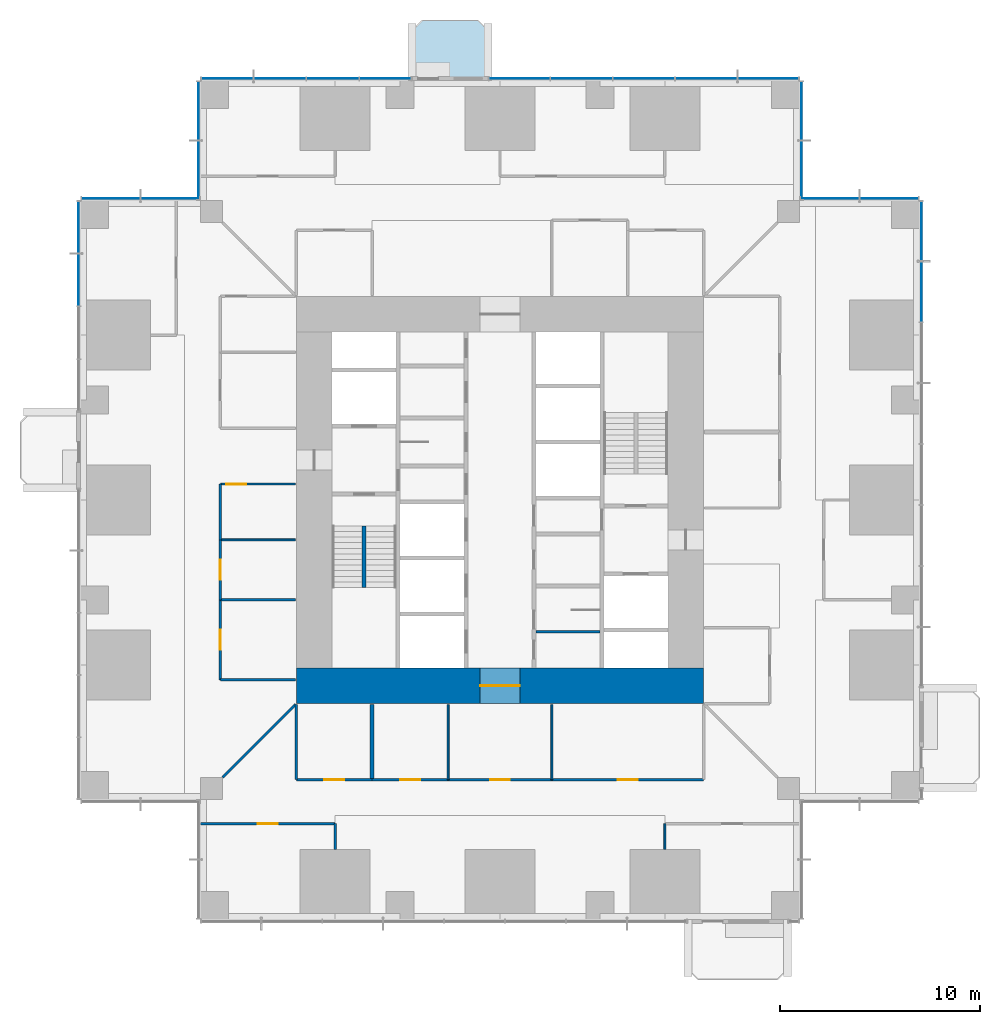
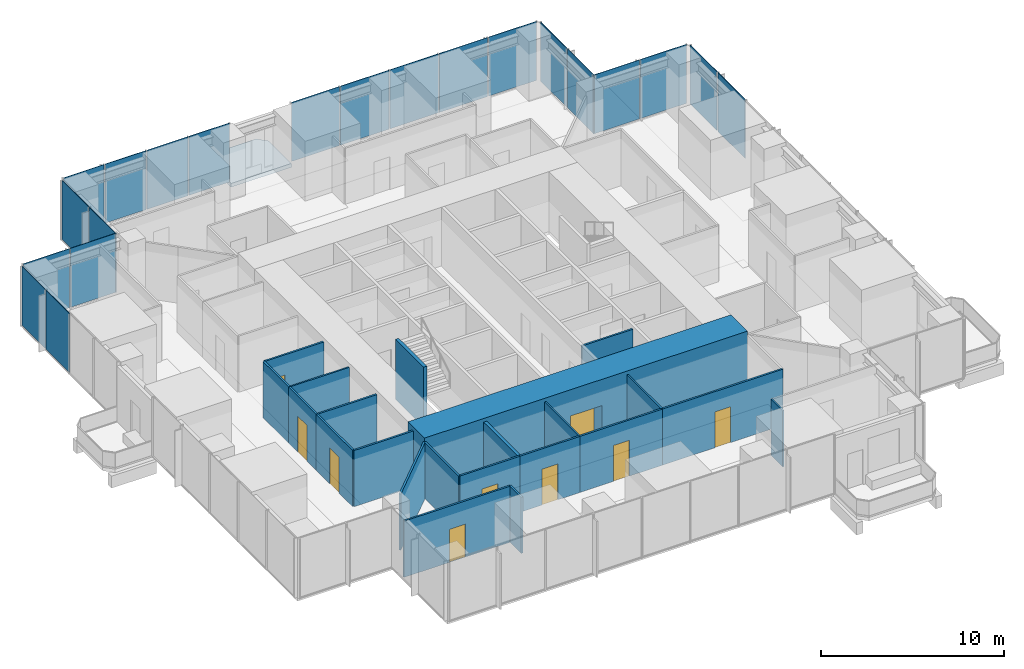
# One storey, part 9 of 15: 22 walls, 21 plates, 9 doors, 1 slab, 9 openings, 8 elements without a shape of their own.
"""IFC4 building model written with IfcOpenShell, lengths in metres."""

from ifc_helpers import new_model, si_unit, direction, frame, frame_2d, origin, origin_2d, place, context, subcontext, project, spatial, polyline, rectangle, outline, extrude, material, layer, layer_set, type_object, element, fill, aggregate, save


model = new_model("IFC4")

# Units and contexts
model_context = context("Model", 3, precision=1e-05, world=origin(), true_north=direction((0.0, 1.0)))
body_context = subcontext(model_context, "Body", "Model", "MODEL_VIEW")
ifc_project = project(units=[si_unit("LENGTHUNIT", "METRE"), si_unit("AREAUNIT", "SQUARE_METRE"), si_unit("VOLUMEUNIT", "CUBIC_METRE"), si_unit("PLANEANGLEUNIT", "RADIAN"), si_unit("MASSUNIT", "GRAM", prefix="KILO")], contexts=[model_context])

# Site, building, storey
site_placement = place(None, origin())
site = spatial("IfcSite", under=ifc_project, at=site_placement, CompositionType="ELEMENT")
building_placement = place(site_placement, origin())
building = spatial("IfcBuilding", under=site, at=building_placement, Name="Svetlomir Tower", CompositionType="ELEMENT")
storey_placement = place(building_placement, frame((0.0, 0.0, 74.5)))
storey = spatial("IfcBuildingStorey", under=building, at=storey_placement, Name="L17", CompositionType="ELEMENT", Elevation=74.5)

# Slab
ifc_material_1 = material(Name="Concrete C60/75", Category="concrete")
ifc_layer_1 = layer(ifc_material_1, 0.25)
ifc_layer_set_1 = layer_set([ifc_layer_1], Name="Concrete C60/75")
slab_type = type_object("IfcSlabType", Name="BALCONY SLAB 250", PredefinedType="FLOOR", material=ifc_layer_set_1)
slab_placement = place(storey_placement, frame((0.0, 0.0, -0.25)))
element("IfcSlab", 1, at=slab_placement, inside=storey, type_object=slab_type, Name="L17 N planted balcony", PredefinedType="FLOOR", context=body_context, shape_type="SweptSolid", body=[
    extrude(outline(polyline([(16.60009765625, 42.0), (20.39990234375, 42.0), (20.39990234375, 44.5), (19.89990234375, 45.0), (17.10009765625, 45.0), (16.60009765625, 44.5), (16.60009765625, 42.0)])), origin(), (0.0, 0.0, 1.0), 0.25),
])

# Curtain wall, plates
ifc_material_2 = material(Name="Bronze anodised aluminium curtain wall", Category="aluminium")
curtain_wall_type = type_object("IfcCurtainWallType", Name="CURTAIN WALL CW1 TOWER OFFICE", PredefinedType="NOTDEFINED", material=ifc_material_2)
curtain_wall_1_placement = place(storey_placement, origin())
curtain_wall_1 = element("IfcCurtainWall", 2, at=curtain_wall_1_placement, inside=storey, type_object=curtain_wall_type, Name="Curtain wall CW1 L17", PredefinedType="NOTDEFINED")
ifc_material_3 = material(Name="Tinted double glazed unit", Category="glass")
ifc_layer_2 = layer(ifc_material_3, 0.031982421875)
ifc_layer_set_2 = layer_set([ifc_layer_2], Name="Tinted double glazed unit")
plate_type = type_object("IfcPlateType", Name="CW1 GLAZED PANEL 32", PredefinedType="CURTAIN_PANEL", material=ifc_layer_set_2)
plate_1_placement = place(storey_placement, frame((42.10009765625, 31.425048828125, 0.06494140625), z_axis=(0.0, 0.0, 1.0), x_axis=(0.0, 1.0, 0.0)))
plate_1 = element("IfcPlate", 3, at=plate_1_placement, type_object=plate_type, Name="CW1 panel 7.1", PredefinedType="CURTAIN_PANEL", context=body_context, shape_type="SweptSolid", body=[
    extrude(rectangle(XDim=2.985107421875, YDim=0.031982421875, at=origin_2d()), origin(), (0.0, 0.0, 1.0), 3.93505859375),
])
plate_2_placement = place(storey_placement, frame((42.10009765625, 34.458740234375, 0.06494140625), z_axis=(0.0, 0.0, 1.0), x_axis=(0.0, 1.0, 0.0)))
plate_2 = element("IfcPlate", 4, at=plate_2_placement, type_object=plate_type, Name="CW1 panel 8.1", PredefinedType="CURTAIN_PANEL", context=body_context, shape_type="SweptSolid", body=[
    extrude(rectangle(XDim=2.952392578125, YDim=0.031982421875, at=origin_2d()), origin(), (0.0, 0.0, 1.0), 3.93505859375),
])
aggregate(curtain_wall_1, [plate_1, plate_2])

curtain_wall_2_placement = place(storey_placement, origin())
curtain_wall_2 = element("IfcCurtainWall", 5, at=curtain_wall_2_placement, inside=storey, type_object=curtain_wall_type, Name="Curtain wall CW1 L17", PredefinedType="NOTDEFINED")
plate_3_placement = place(storey_placement, frame((40.483642578125, 36.10009765625, 0.06494140625), z_axis=(0.0, 0.0, 1.0), x_axis=(-1.0, 0.0, 0.0)))
plate_3 = element("IfcPlate", 6, at=plate_3_placement, type_object=plate_type, Name="CW1 panel 1.1", PredefinedType="CURTAIN_PANEL", context=body_context, shape_type="SweptSolid", body=[
    extrude(rectangle(XDim=2.902587890625, YDim=0.031982421875, at=origin_2d()), origin(), (0.0, 0.0, 1.0), 3.93505859375),
])
plate_4_placement = place(storey_placement, frame((37.516357421875, 36.10009765625, 0.06494140625), z_axis=(0.0, 0.0, 1.0), x_axis=(-1.0, 0.0, 0.0)))
plate_4 = element("IfcPlate", 7, at=plate_4_placement, type_object=plate_type, Name="CW1 panel 2.1", PredefinedType="CURTAIN_PANEL", context=body_context, shape_type="SweptSolid", body=[
    extrude(rectangle(XDim=2.902587890625, YDim=0.031982421875, at=origin_2d()), origin(), (0.0, 0.0, 1.0), 3.93505859375),
])
aggregate(curtain_wall_2, [plate_3, plate_4])

curtain_wall_3_placement = place(storey_placement, origin())
curtain_wall_3 = element("IfcCurtainWall", 8, at=curtain_wall_3_placement, inside=storey, type_object=curtain_wall_type, Name="Curtain wall CW1 L17", PredefinedType="NOTDEFINED")
plate_5_placement = place(storey_placement, frame((36.10009765625, 37.516357421875, 0.06494140625), z_axis=(0.0, 0.0, 1.0), x_axis=(0.0, 1.0, 0.0)))
plate_5 = element("IfcPlate", 9, at=plate_5_placement, type_object=plate_type, Name="CW1 panel 1.1", PredefinedType="CURTAIN_PANEL", context=body_context, shape_type="SweptSolid", body=[
    extrude(rectangle(XDim=2.902587890625, YDim=0.031982421875, at=origin_2d()), origin(), (0.0, 0.0, 1.0), 3.93505859375),
])
plate_6_placement = place(storey_placement, frame((36.10009765625, 40.483642578125, 0.06494140625), z_axis=(0.0, 0.0, 1.0), x_axis=(0.0, 1.0, 0.0)))
plate_6 = element("IfcPlate", 10, at=plate_6_placement, type_object=plate_type, Name="CW1 panel 2.1", PredefinedType="CURTAIN_PANEL", context=body_context, shape_type="SweptSolid", body=[
    extrude(rectangle(XDim=2.902587890625, YDim=0.031982421875, at=origin_2d()), origin(), (0.0, 0.0, 1.0), 3.93505859375),
])
aggregate(curtain_wall_3, [plate_5, plate_6])

curtain_wall_4_placement = place(storey_placement, origin())
curtain_wall_4 = element("IfcCurtainWall", 11, at=curtain_wall_4_placement, inside=storey, type_object=curtain_wall_type, Name="Curtain wall CW1 L17", PredefinedType="NOTDEFINED")
plate_7_placement = place(storey_placement, frame((34.423828125, 42.10009765625, 0.06494140625), z_axis=(0.0, 0.0, 1.0), x_axis=(-1.0, 0.0, 0.0)))
plate_7 = element("IfcPlate", 12, at=plate_7_placement, type_object=plate_type, Name="CW1 panel 1.1", PredefinedType="CURTAIN_PANEL", context=body_context, shape_type="SweptSolid", body=[
    extrude(rectangle(XDim=3.0224609375, YDim=0.031982421875, at=origin_2d()), origin(), (0.0, 0.0, 1.0), 3.93505859375),
])
plate_8_placement = place(storey_placement, frame((31.320068359375, 42.10009765625, 0.06494140625), z_axis=(0.0, 0.0, 1.0), x_axis=(-1.0, 0.0, 0.0)))
plate_8 = element("IfcPlate", 13, at=plate_8_placement, type_object=plate_type, Name="CW1 panel 2.1", PredefinedType="CURTAIN_PANEL", context=body_context, shape_type="SweptSolid", body=[
    extrude(rectangle(XDim=3.054931640625, YDim=0.031982421875, at=origin_2d()), origin(), (0.0, 0.0, 1.0), 3.93505859375),
])
plate_9_placement = place(storey_placement, frame((28.199951171875, 42.10009765625, 0.06494140625), z_axis=(0.0, 0.0, 1.0), x_axis=(-1.0, 0.0, 0.0)))
plate_9 = element("IfcPlate", 14, at=plate_9_placement, type_object=plate_type, Name="CW1 panel 3.1", PredefinedType="CURTAIN_PANEL", context=body_context, shape_type="SweptSolid", body=[
    extrude(rectangle(XDim=3.054931640625, YDim=0.031982421875, at=origin_2d()), origin(), (0.0, 0.0, 1.0), 3.93505859375),
])
plate_10_placement = place(storey_placement, frame((25.080078125, 42.10009765625, 0.06494140625), z_axis=(0.0, 0.0, 1.0), x_axis=(-1.0, 0.0, 0.0)))
plate_10 = element("IfcPlate", 15, at=plate_10_placement, type_object=plate_type, Name="CW1 panel 4.1", PredefinedType="CURTAIN_PANEL", context=body_context, shape_type="SweptSolid", body=[
    extrude(rectangle(XDim=3.054931640625, YDim=0.031982421875, at=origin_2d()), origin(), (0.0, 0.0, 1.0), 3.93505859375),
])
plate_11_placement = place(storey_placement, frame((21.976318359375, 42.10009765625, 0.06494140625), z_axis=(0.0, 0.0, 1.0), x_axis=(-1.0, 0.0, 0.0)))
plate_11 = element("IfcPlate", 16, at=plate_11_placement, type_object=plate_type, Name="CW1 panel 5.1", PredefinedType="CURTAIN_PANEL", context=body_context, shape_type="SweptSolid", body=[
    extrude(rectangle(XDim=3.0224609375, YDim=0.031982421875, at=origin_2d()), origin(), (0.0, 0.0, 1.0), 3.93505859375),
])
aggregate(curtain_wall_4, [plate_7, plate_8, plate_9, plate_10, plate_11])

curtain_wall_5_placement = place(storey_placement, origin())
curtain_wall_5 = element("IfcCurtainWall", 17, at=curtain_wall_5_placement, inside=storey, type_object=curtain_wall_type, Name="Curtain wall CW1 L17", PredefinedType="NOTDEFINED")
plate_12_placement = place(storey_placement, frame((15.2587890625, 42.10009765625, 0.06494140625), z_axis=(0.0, 0.0, 1.0), x_axis=(-1.0, 0.0, 0.0)))
plate_12 = element("IfcPlate", 18, at=plate_12_placement, type_object=plate_type, Name="CW1 panel 1.1", PredefinedType="CURTAIN_PANEL", context=body_context, shape_type="SweptSolid", body=[
    extrude(rectangle(XDim=2.552490234375, YDim=0.031982421875, at=origin_2d()), origin(), (0.0, 0.0, 1.0), 3.93505859375),
])
plate_13_placement = place(storey_placement, frame((12.625, 42.10009765625, 0.06494140625), z_axis=(0.0, 0.0, 1.0), x_axis=(-1.0, 0.0, 0.0)))
plate_13 = element("IfcPlate", 19, at=plate_13_placement, type_object=plate_type, Name="CW1 panel 2.1", PredefinedType="CURTAIN_PANEL", context=body_context, shape_type="SweptSolid", body=[
    extrude(rectangle(XDim=2.5849609375, YDim=0.031982421875, at=origin_2d()), origin(), (0.0, 0.0, 1.0), 3.93505859375),
])
plate_14_placement = place(storey_placement, frame((9.97509765625, 42.10009765625, 0.06494140625), z_axis=(0.0, 0.0, 1.0), x_axis=(-1.0, 0.0, 0.0)))
plate_14 = element("IfcPlate", 20, at=plate_14_placement, type_object=plate_type, Name="CW1 panel 3.1", PredefinedType="CURTAIN_PANEL", context=body_context, shape_type="SweptSolid", body=[
    extrude(rectangle(XDim=2.5849609375, YDim=0.031982421875, at=origin_2d()), origin(), (0.0, 0.0, 1.0), 3.93505859375),
])
plate_15_placement = place(storey_placement, frame((7.34130859375, 42.10009765625, 0.06494140625), z_axis=(0.0, 0.0, 1.0), x_axis=(-1.0, 0.0, 0.0)))
plate_15 = element("IfcPlate", 21, at=plate_15_placement, type_object=plate_type, Name="CW1 panel 4.1", PredefinedType="CURTAIN_PANEL", context=body_context, shape_type="SweptSolid", body=[
    extrude(rectangle(XDim=2.552490234375, YDim=0.031982421875, at=origin_2d()), origin(), (0.0, 0.0, 1.0), 3.93505859375),
])
aggregate(curtain_wall_5, [plate_12, plate_13, plate_14, plate_15])

curtain_wall_6_placement = place(storey_placement, origin())
curtain_wall_6 = element("IfcCurtainWall", 22, at=curtain_wall_6_placement, inside=storey, type_object=curtain_wall_type, Name="Curtain wall CW1 L17", PredefinedType="NOTDEFINED")
plate_16_placement = place(storey_placement, frame((5.89990234375, 40.483642578125, 0.06494140625), z_axis=(0.0, 0.0, 1.0), x_axis=(0.0, -1.0, 0.0)))
plate_16 = element("IfcPlate", 23, at=plate_16_placement, type_object=plate_type, Name="CW1 panel 1.1", PredefinedType="CURTAIN_PANEL", context=body_context, shape_type="SweptSolid", body=[
    extrude(rectangle(XDim=2.902587890625, YDim=0.031982421875, at=origin_2d()), origin(), (0.0, 0.0, 1.0), 3.93505859375),
])
plate_17_placement = place(storey_placement, frame((5.89990234375, 37.516357421875, 0.06494140625), z_axis=(0.0, 0.0, 1.0), x_axis=(0.0, -1.0, 0.0)))
plate_17 = element("IfcPlate", 24, at=plate_17_placement, type_object=plate_type, Name="CW1 panel 2.1", PredefinedType="CURTAIN_PANEL", context=body_context, shape_type="SweptSolid", body=[
    extrude(rectangle(XDim=2.902587890625, YDim=0.031982421875, at=origin_2d()), origin(), (0.0, 0.0, 1.0), 3.93505859375),
])
aggregate(curtain_wall_6, [plate_16, plate_17])

curtain_wall_7_placement = place(storey_placement, origin())
curtain_wall_7 = element("IfcCurtainWall", 25, at=curtain_wall_7_placement, inside=storey, type_object=curtain_wall_type, Name="Curtain wall CW1 L17", PredefinedType="NOTDEFINED")
plate_18_placement = place(storey_placement, frame((4.483642578125, 36.10009765625, 0.06494140625), z_axis=(0.0, 0.0, 1.0), x_axis=(-1.0, 0.0, 0.0)))
plate_18 = element("IfcPlate", 26, at=plate_18_placement, type_object=plate_type, Name="CW1 panel 1.1", PredefinedType="CURTAIN_PANEL", context=body_context, shape_type="SweptSolid", body=[
    extrude(rectangle(XDim=2.902587890625, YDim=0.031982421875, at=origin_2d()), origin(), (0.0, 0.0, 1.0), 3.93505859375),
])
plate_19_placement = place(storey_placement, frame((1.516357421875, 36.10009765625, 0.06494140625), z_axis=(0.0, 0.0, 1.0), x_axis=(-1.0, 0.0, 0.0)))
plate_19 = element("IfcPlate", 27, at=plate_19_placement, type_object=plate_type, Name="CW1 panel 2.1", PredefinedType="CURTAIN_PANEL", context=body_context, shape_type="SweptSolid", body=[
    extrude(rectangle(XDim=2.902587890625, YDim=0.031982421875, at=origin_2d()), origin(), (0.0, 0.0, 1.0), 3.93505859375),
])
aggregate(curtain_wall_7, [plate_18, plate_19])

curtain_wall_8_placement = place(storey_placement, origin())
curtain_wall_8 = element("IfcCurtainWall", 28, at=curtain_wall_8_placement, inside=storey, type_object=curtain_wall_type, Name="Curtain wall CW1 L17", PredefinedType="NOTDEFINED")
plate_20_placement = place(storey_placement, frame((-0.10009765625, 34.65869140625, 0.06494140625), z_axis=(0.0, 0.0, 1.0), x_axis=(0.0, -1.0, 0.0)))
plate_20 = element("IfcPlate", 29, at=plate_20_placement, type_object=plate_type, Name="CW1 panel 1.1", PredefinedType="CURTAIN_PANEL", context=body_context, shape_type="SweptSolid", body=[
    extrude(rectangle(XDim=2.552490234375, YDim=0.031982421875, at=origin_2d()), origin(), (0.0, 0.0, 1.0), 3.93505859375),
])
plate_21_placement = place(storey_placement, frame((-0.10009765625, 32.02490234375, 0.06494140625), z_axis=(0.0, 0.0, 1.0), x_axis=(0.0, -1.0, 0.0)))
plate_21 = element("IfcPlate", 30, at=plate_21_placement, type_object=plate_type, Name="CW1 panel 2.1", PredefinedType="CURTAIN_PANEL", context=body_context, shape_type="SweptSolid", body=[
    extrude(rectangle(XDim=2.5849609375, YDim=0.031982421875, at=origin_2d()), origin(), (0.0, 0.0, 1.0), 3.93505859375),
])
aggregate(curtain_wall_8, [plate_20, plate_21])

# Wall
ifc_material_4 = material(Name="Gypsum board on twin steel studs", Category="steel")
ifc_layer_3 = layer(ifc_material_4, 0.199951171875)
ifc_layer_set_3 = layer_set([ifc_layer_3], Name="Gypsum board on twin steel studs")
wall_type_1 = type_object("IfcWallType", Name="ACOUSTIC PARTITION 200", PredefinedType="PARTITIONING", material=ifc_layer_set_3)
wall_1_placement = place(storey_placement, frame((14.60009765625, 7.0, 0.0), z_axis=(0.0, 0.0, 1.0), x_axis=(0.0, 1.0, 0.0)))
element("IfcWall", 31, at=wall_1_placement, inside=storey, type_object=wall_type_1, Name="Acoustic partition L17", PredefinedType="PARTITIONING", context=body_context, shape_type="SweptSolid", body=[
    extrude(rectangle(XDim=3.75, YDim=0.199951171875, at=frame_2d((1.875, 0.0))), origin(), (0.0, 0.0, 1.0), 3.75),
])

# Wall, opening, door
ifc_material_5 = material(Name="Concrete C60/75", Category="concrete")
ifc_layer_4 = layer(ifc_material_5, 1.800048828125)
ifc_layer_set_4 = layer_set([ifc_layer_4], Name="Concrete C60/75")
wall_type_2 = type_object("IfcWallType", Name="CORE WALL 1800", PredefinedType="SHEAR", material=ifc_layer_set_4)
wall_2_placement = place(storey_placement, frame((10.800048828125, 11.699951171875, -0.050048828125), z_axis=(0.0, 0.0, 1.0), x_axis=(1.0, 0.0, 0.0)))
wall_2 = element("IfcWall", 32, at=wall_2_placement, inside=storey, type_object=wall_type_2, Name="Core wall south L17", PredefinedType="SHEAR", context=body_context, shape_type="SweptSolid", body=[
    extrude(rectangle(XDim=20.39990234375, YDim=1.800048828125, at=frame_2d((10.199951171875, 0.0))), origin(), (0.0, 0.0, 1.0), 4.0),
])
opening_1_placement = place(wall_2_placement, frame((9.199951171875, 0.0, 0.050048828125)))
opening_1 = element("IfcOpeningElement", 33, at=opening_1_placement, cuts=wall_2, Name="Opening DL", PredefinedType="OPENING", context=body_context, shape_type="SweptSolid", body=[
    extrude(rectangle(XDim=2.0, YDim=2.199951171875, at=frame_2d((1.0, 1.10009765625))), frame((0.0, 0.91015625, 0.0), z_axis=(0.0, -1.0, 0.0), x_axis=(1.0, 0.0, 0.0)), (0.0, 0.0, 1.0), 1.820068359375),
])
ifc_material_6 = material(Name="Steel fire door", Category="steel")
door_type_1 = type_object("IfcDoorType", Name="DOOR DL 2000x2200", OperationType="DOUBLE_DOOR_SINGLE_SWING", PredefinedType="DOOR", material=ifc_material_6)
door_1_placement = place(opening_1_placement, origin())
door_1 = element("IfcDoor", 34, at=door_1_placement, inside=storey, type_object=door_type_1, Name="Lift lobby south door L17", OperationType="DOUBLE_DOOR_SINGLE_SWING", OverallHeight=2.199951171875, OverallWidth=2.0, PredefinedType="DOOR", context=body_context, shape_type="SweptSolid", body=[
    extrude(rectangle(XDim=2.0, YDim=2.199951171875, at=frame_2d((1.0, 1.10009765625))), frame((0.0, 0.02490234375, 0.0), z_axis=(0.0, -1.0, 0.0), x_axis=(1.0, 0.0, 0.0)), (0.0, 0.0, 1.0), 0.050048828125),
])
fill(opening_1, door_1)

# Walls
ifc_material_7 = material(Name="Framed laminated glass partition", Category="glass")
ifc_layer_5 = layer(ifc_material_7, 0.10009765625)
ifc_layer_set_5 = layer_set([ifc_layer_5], Name="Framed laminated glass partition")
wall_type_3 = type_object("IfcWallType", Name="GLAZED PARTITION 100", PredefinedType="PARTITIONING", material=ifc_layer_set_5)
for number, where, z_axis, x_axis, name in (
    (35, (7.0, 19.0, 0.0), (0.0, 0.0, 1.0), (1.0, 0.0, 0.0), "Glazed partition L17"),
    (36, (18.39990234375, 7.0, 0.0), (0.0, 0.0, 1.0), (0.0, 1.0, 0.0), "Glazed partition L17"),
    (37, (23.60009765625, 7.0, 0.0), (0.0, 0.0, 1.0), (0.0, 1.0, 0.0), "Glazed partition L17"),
):
    element("IfcWall", number, at=place(storey_placement, frame(where, z_axis=z_axis, x_axis=x_axis)), inside=storey, type_object=wall_type_3, Name=name, PredefinedType="PARTITIONING", context=body_context, shape_type="SweptSolid", body=[
        extrude(rectangle(XDim=3.75, YDim=0.10009765625, at=frame_2d((1.875, 0.0))), origin(), (0.0, 0.0, 1.0), 3.75),
    ])
wall_3_placement = place(storey_placement, frame((29.25, 3.510009765625, 0.0), z_axis=(0.0, 0.0, 1.0), x_axis=(0.0, 1.0, 0.0)))
element("IfcWall", 38, at=wall_3_placement, inside=storey, type_object=wall_type_3, Name="Glazed partition L17", PredefinedType="PARTITIONING", context=body_context, shape_type="SweptSolid", body=[
    extrude(rectangle(XDim=1.2900390625, YDim=0.10009765625, at=frame_2d((0.64501953125, 0.0))), origin(), (0.0, 0.0, 1.0), 3.75),
])
ifc_material_8 = material(Name="Gypsum board on steel studs", Category="steel")
ifc_layer_6 = layer(ifc_material_8, 0.1201171875)
ifc_layer_set_6 = layer_set([ifc_layer_6], Name="Gypsum board on steel studs")
wall_type_4 = type_object("IfcWallType", Name="PARTITION 120", PredefinedType="PARTITIONING", material=ifc_layer_set_6)
wall_4_placement = place(storey_placement, frame((22.800048828125, 14.39990234375, 0.0), z_axis=(0.0, 0.0, 1.0), x_axis=(1.0, 0.0, 0.0)))
element("IfcWall", 39, at=wall_4_placement, inside=storey, type_object=wall_type_4, Name="Floor store partition L17", PredefinedType="PARTITIONING", context=body_context, shape_type="SweptSolid", body=[
    extrude(rectangle(XDim=3.199951171875, YDim=0.1201171875, at=frame_2d((1.60009765625, 0.0))), origin(), (0.0, 0.0, 1.0), 3.75),
])

# Wall, opening, door
wall_5_placement = place(storey_placement, frame((6.0, 4.800048828125, 0.0), z_axis=(0.0, 0.0, 1.0), x_axis=(1.0, 0.0, 0.0)))
wall_5 = element("IfcWall", 40, at=wall_5_placement, inside=storey, type_object=wall_type_4, Name="Partition L17", PredefinedType="PARTITIONING", context=body_context, shape_type="SweptSolid", body=[
    extrude(rectangle(XDim=6.75, YDim=0.1201171875, at=frame_2d((3.375, 0.0))), origin(), (0.0, 0.0, 1.0), 3.75),
])
opening_2_placement = place(wall_5_placement, frame((2.875, 0.0, 0.0)))
opening_2 = element("IfcOpeningElement", 41, at=opening_2_placement, cuts=wall_5, Name="Opening DR", PredefinedType="OPENING", context=body_context, shape_type="SweptSolid", body=[
    extrude(rectangle(XDim=1.0, YDim=2.199951171875, at=frame_2d((0.5, 1.10009765625))), frame((0.0, 0.070068359375, 0.0), z_axis=(0.0, -1.0, 0.0), x_axis=(1.0, 0.0, 0.0)), (0.0, 0.0, 1.0), 0.14013671875),
])
ifc_material_9 = material(Name="Timber door, glazed side light", Category="wood")
door_type_2 = type_object("IfcDoorType", Name="DOOR DR 1000x2200", OperationType="SINGLE_SWING_LEFT", PredefinedType="DOOR", material=ifc_material_9)
door_2_placement = place(opening_2_placement, origin())
door_2 = element("IfcDoor", 42, at=door_2_placement, inside=storey, type_object=door_type_2, Name="Head of procurement office door L17", OperationType="SINGLE_SWING_RIGHT", OverallHeight=2.199951171875, OverallWidth=1.0, PredefinedType="DOOR", context=body_context, shape_type="SweptSolid", body=[
    extrude(rectangle(XDim=1.0, YDim=2.199951171875, at=frame_2d((0.5, 1.10009765625))), frame((0.0, 0.02490234375, 0.0), z_axis=(0.0, -1.0, 0.0), x_axis=(1.0, 0.0, 0.0)), (0.0, 0.0, 1.0), 0.050048828125),
])
fill(opening_2, door_2)

wall_6_placement = place(storey_placement, frame((7.0, 12.0, 0.0), z_axis=(0.0, 0.0, 1.0), x_axis=(0.0, 1.0, 0.0)))
wall_6 = element("IfcWall", 43, at=wall_6_placement, inside=storey, type_object=wall_type_4, Name="Partition L17", PredefinedType="PARTITIONING", context=body_context, shape_type="SweptSolid", body=[
    extrude(rectangle(XDim=4.0, YDim=0.1201171875, at=frame_2d((2.0, 0.0))), origin(), (0.0, 0.0, 1.0), 3.75),
])
opening_3_placement = place(wall_6_placement, frame((1.5, 0.0, 0.0)))
opening_3 = element("IfcOpeningElement", 44, at=opening_3_placement, cuts=wall_6, Name="Opening DG", PredefinedType="OPENING", context=body_context, shape_type="SweptSolid", body=[
    extrude(rectangle(XDim=1.0, YDim=2.39990234375, at=frame_2d((0.5, 1.199951171875))), frame((0.0, 0.070068359375, 0.0), z_axis=(0.0, -1.0, 0.0), x_axis=(1.0, 0.0, 0.0)), (0.0, 0.0, 1.0), 0.14013671875),
])
ifc_material_10 = material(Name="Framed laminated glass door", Category="glass")
door_type_3 = type_object("IfcDoorType", Name="GLAZED DOOR DG 1000x2400", OperationType="SINGLE_SWING_LEFT", PredefinedType="DOOR", material=ifc_material_10)
door_3_placement = place(opening_3_placement, origin())
door_3 = element("IfcDoor", 45, at=door_3_placement, inside=storey, type_object=door_type_3, Name="Meeting room, 4 seats 2 door L17", OperationType="SINGLE_SWING_LEFT", OverallHeight=2.39990234375, OverallWidth=1.0, PredefinedType="DOOR", context=body_context, shape_type="SweptSolid", body=[
    extrude(rectangle(XDim=1.0, YDim=2.39990234375, at=frame_2d((0.5, 1.199951171875))), frame((0.0, 0.02490234375, 0.0), z_axis=(0.0, -1.0, 0.0), x_axis=(1.0, 0.0, 0.0)), (0.0, 0.0, 1.0), 0.050048828125),
])
fill(opening_3, door_3)

# Wall
wall_7_placement = place(storey_placement, frame((7.0, 12.0, 0.0), z_axis=(0.0, 0.0, 1.0), x_axis=(1.0, 0.0, 0.0)))
element("IfcWall", 46, at=wall_7_placement, inside=storey, type_object=wall_type_4, Name="Partition L17", PredefinedType="PARTITIONING", context=body_context, shape_type="SweptSolid", body=[
    extrude(rectangle(XDim=3.75, YDim=0.1201171875, at=frame_2d((1.875, 0.0))), origin(), (0.0, 0.0, 1.0), 3.75),
])

# Wall, opening, door
wall_8_placement = place(storey_placement, frame((7.0, 16.0, 0.0), z_axis=(0.0, 0.0, 1.0), x_axis=(0.0, 1.0, 0.0)))
wall_8 = element("IfcWall", 47, at=wall_8_placement, inside=storey, type_object=wall_type_4, Name="Partition L17", PredefinedType="PARTITIONING", context=body_context, shape_type="SweptSolid", body=[
    extrude(rectangle(XDim=3.0, YDim=0.1201171875, at=frame_2d((1.5, 0.0))), origin(), (0.0, 0.0, 1.0), 3.75),
])
opening_4_placement = place(wall_8_placement, frame((1.0, 0.0, 0.0)))
opening_4 = element("IfcOpeningElement", 48, at=opening_4_placement, cuts=wall_8, Name="Opening DG", PredefinedType="OPENING", context=body_context, shape_type="SweptSolid", body=[
    extrude(rectangle(XDim=1.0, YDim=2.39990234375, at=frame_2d((0.5, 1.199951171875))), frame((0.0, 0.070068359375, 0.0), z_axis=(0.0, -1.0, 0.0), x_axis=(1.0, 0.0, 0.0)), (0.0, 0.0, 1.0), 0.14013671875),
])
door_4_placement = place(opening_4_placement, origin())
door_4 = element("IfcDoor", 49, at=door_4_placement, inside=storey, type_object=door_type_3, Name="Focus room 1 door L17", OperationType="SINGLE_SWING_RIGHT", OverallHeight=2.39990234375, OverallWidth=1.0, PredefinedType="DOOR", context=body_context, shape_type="SweptSolid", body=[
    extrude(rectangle(XDim=1.0, YDim=2.39990234375, at=frame_2d((0.5, 1.199951171875))), frame((0.0, 0.02490234375, 0.0), z_axis=(0.0, -1.0, 0.0), x_axis=(1.0, 0.0, 0.0)), (0.0, 0.0, 1.0), 0.050048828125),
])
fill(opening_4, door_4)

# Walls
wall_9_placement = place(storey_placement, frame((7.0, 16.0, 0.0), z_axis=(0.0, 0.0, 1.0), x_axis=(1.0, 0.0, 0.0)))
element("IfcWall", 50, at=wall_9_placement, inside=storey, type_object=wall_type_4, Name="Partition L17", PredefinedType="PARTITIONING", context=body_context, shape_type="SweptSolid", body=[
    extrude(rectangle(XDim=3.75, YDim=0.1201171875, at=frame_2d((1.875, 0.0))), origin(), (0.0, 0.0, 1.0), 3.75),
])
wall_10_placement = place(storey_placement, frame((7.0, 19.0, 0.0), z_axis=(0.0, 0.0, 1.0), x_axis=(0.0, 1.0, 0.0)))
element("IfcWall", 51, at=wall_10_placement, inside=storey, type_object=wall_type_4, Name="Partition L17", PredefinedType="PARTITIONING", context=body_context, shape_type="SweptSolid", body=[
    extrude(rectangle(XDim=2.800048828125, YDim=0.1201171875, at=frame_2d((1.39990234375, 0.0))), origin(), (0.0, 0.0, 1.0), 3.75),
])

# Wall, opening, door
wall_11_placement = place(storey_placement, frame((7.0, 21.800048828125, 0.0), z_axis=(0.0, 0.0, 1.0), x_axis=(1.0, 0.0, 0.0)))
wall_11 = element("IfcWall", 52, at=wall_11_placement, inside=storey, type_object=wall_type_4, Name="Partition L17", PredefinedType="PARTITIONING", context=body_context, shape_type="SweptSolid", body=[
    extrude(rectangle(XDim=3.75, YDim=0.1201171875, at=frame_2d((1.875, 0.0))), origin(), (0.0, 0.0, 1.0), 3.75),
])
opening_5_placement = place(wall_11_placement, frame((0.300048828125, 0.0, 0.0)))
opening_5 = element("IfcOpeningElement", 53, at=opening_5_placement, cuts=wall_11, Name="Opening DG", PredefinedType="OPENING", context=body_context, shape_type="SweptSolid", body=[
    extrude(rectangle(XDim=1.0, YDim=2.39990234375, at=frame_2d((0.5, 1.199951171875))), frame((0.0, 0.070068359375, 0.0), z_axis=(0.0, -1.0, 0.0), x_axis=(1.0, 0.0, 0.0)), (0.0, 0.0, 1.0), 0.14013671875),
])
door_5_placement = place(opening_5_placement, origin())
door_5 = element("IfcDoor", 54, at=door_5_placement, inside=storey, type_object=door_type_3, Name="Ring corridor 3 door 3 L17", OperationType="SINGLE_SWING_LEFT", OverallHeight=2.39990234375, OverallWidth=1.0, PredefinedType="DOOR", context=body_context, shape_type="SweptSolid", body=[
    extrude(rectangle(XDim=1.0, YDim=2.39990234375, at=frame_2d((0.5, 1.199951171875))), frame((0.0, 0.02490234375, 0.0), z_axis=(0.0, -1.0, 0.0), x_axis=(1.0, 0.0, 0.0)), (0.0, 0.0, 1.0), 0.050048828125),
])
fill(opening_5, door_5)

# Walls
wall_12_placement = place(storey_placement, frame((7.110107421875, 7.110107421875, 0.0), z_axis=(0.0, 0.0, 1.0), x_axis=(0.707106781187, 0.707106781187, 0.0)))
element("IfcWall", 55, at=wall_12_placement, inside=storey, type_object=wall_type_4, Name="Partition L17", PredefinedType="PARTITIONING", context=body_context, shape_type="SweptSolid", body=[
    extrude(rectangle(XDim=5.168212890625, YDim=0.1201171875, at=frame_2d((2.583984375, 0.0))), origin(), (0.0, 0.0, 1.0), 3.75),
])
wall_13_placement = place(storey_placement, frame((10.800048828125, 7.0, 0.0), z_axis=(0.0, 0.0, 1.0), x_axis=(0.0, 1.0, 0.0)))
element("IfcWall", 56, at=wall_13_placement, inside=storey, type_object=wall_type_4, Name="Partition L17", PredefinedType="PARTITIONING", context=body_context, shape_type="SweptSolid", body=[
    extrude(rectangle(XDim=3.75, YDim=0.1201171875, at=frame_2d((1.875, 0.0))), origin(), (0.0, 0.0, 1.0), 3.75),
])

# Wall, opening, door
wall_14_placement = place(storey_placement, frame((10.800048828125, 7.0, 0.0), z_axis=(0.0, 0.0, 1.0), x_axis=(1.0, 0.0, 0.0)))
wall_14 = element("IfcWall", 57, at=wall_14_placement, inside=storey, type_object=wall_type_4, Name="Partition L17", PredefinedType="PARTITIONING", context=body_context, shape_type="SweptSolid", body=[
    extrude(rectangle(XDim=3.800048828125, YDim=0.1201171875, at=frame_2d((1.89990234375, 0.0))), origin(), (0.0, 0.0, 1.0), 3.75),
])
opening_6_placement = place(wall_14_placement, frame((1.39990234375, 0.0, 0.0)))
opening_6 = element("IfcOpeningElement", 58, at=opening_6_placement, cuts=wall_14, Name="Opening DG", PredefinedType="OPENING", context=body_context, shape_type="SweptSolid", body=[
    extrude(rectangle(XDim=1.0, YDim=2.39990234375, at=frame_2d((0.5, 1.199951171875))), frame((0.0, 0.070068359375, 0.0), z_axis=(0.0, -1.0, 0.0), x_axis=(1.0, 0.0, 0.0)), (0.0, 0.0, 1.0), 0.14013671875),
])
door_6_placement = place(opening_6_placement, origin())
door_6 = element("IfcDoor", 59, at=door_6_placement, inside=storey, type_object=door_type_3, Name="Meeting room, 4 seats 1 door L17", OperationType="SINGLE_SWING_LEFT", OverallHeight=2.39990234375, OverallWidth=1.0, PredefinedType="DOOR", context=body_context, shape_type="SweptSolid", body=[
    extrude(rectangle(XDim=1.0, YDim=2.39990234375, at=frame_2d((0.5, 1.199951171875))), frame((0.0, 0.02490234375, 0.0), z_axis=(0.0, -1.0, 0.0), x_axis=(1.0, 0.0, 0.0)), (0.0, 0.0, 1.0), 0.050048828125),
])
fill(opening_6, door_6)

# Wall
wall_15_placement = place(storey_placement, frame((12.75, 3.510009765625, 0.0), z_axis=(0.0, 0.0, 1.0), x_axis=(0.0, 1.0, 0.0)))
element("IfcWall", 60, at=wall_15_placement, inside=storey, type_object=wall_type_4, Name="Partition L17", PredefinedType="PARTITIONING", context=body_context, shape_type="SweptSolid", body=[
    extrude(rectangle(XDim=1.2900390625, YDim=0.1201171875, at=frame_2d((0.64501953125, 0.0))), origin(), (0.0, 0.0, 1.0), 3.75),
])

# Wall, opening, door
wall_16_placement = place(storey_placement, frame((14.60009765625, 7.0, 0.0), z_axis=(0.0, 0.0, 1.0), x_axis=(1.0, 0.0, 0.0)))
wall_16 = element("IfcWall", 61, at=wall_16_placement, inside=storey, type_object=wall_type_4, Name="Partition L17", PredefinedType="PARTITIONING", context=body_context, shape_type="SweptSolid", body=[
    extrude(rectangle(XDim=3.7998046875, YDim=0.1201171875, at=frame_2d((1.89990234375, 0.0))), origin(), (0.0, 0.0, 1.0), 3.75),
])
opening_7_placement = place(wall_16_placement, frame((1.39990234375, 0.0, 0.0)))
opening_7 = element("IfcOpeningElement", 62, at=opening_7_placement, cuts=wall_16, Name="Opening DG", PredefinedType="OPENING", context=body_context, shape_type="SweptSolid", body=[
    extrude(rectangle(XDim=1.0, YDim=2.39990234375, at=frame_2d((0.5, 1.199951171875))), frame((0.0, 0.070068359375, 0.0), z_axis=(0.0, -1.0, 0.0), x_axis=(1.0, 0.0, 0.0)), (0.0, 0.0, 1.0), 0.14013671875),
])
door_7_placement = place(opening_7_placement, origin())
door_7 = element("IfcDoor", 63, at=door_7_placement, inside=storey, type_object=door_type_3, Name="Tender opening room, 6 seats door L17", OperationType="SINGLE_SWING_RIGHT", OverallHeight=2.39990234375, OverallWidth=1.0, PredefinedType="DOOR", context=body_context, shape_type="SweptSolid", body=[
    extrude(rectangle(XDim=1.0, YDim=2.39990234375, at=frame_2d((0.5, 1.199951171875))), frame((0.0, 0.02490234375, 0.0), z_axis=(0.0, -1.0, 0.0), x_axis=(1.0, 0.0, 0.0)), (0.0, 0.0, 1.0), 0.050048828125),
])
fill(opening_7, door_7)

wall_17_placement = place(storey_placement, frame((18.39990234375, 7.0, 0.0), z_axis=(0.0, 0.0, 1.0), x_axis=(1.0, 0.0, 0.0)))
wall_17 = element("IfcWall", 64, at=wall_17_placement, inside=storey, type_object=wall_type_4, Name="Partition L17", PredefinedType="PARTITIONING", context=body_context, shape_type="SweptSolid", body=[
    extrude(rectangle(XDim=5.2001953125, YDim=0.1201171875, at=frame_2d((2.60009765625, 0.0))), origin(), (0.0, 0.0, 1.0), 3.75),
])
opening_8_placement = place(wall_17_placement, frame((2.10009765625, 0.0, 0.0)))
opening_8 = element("IfcOpeningElement", 65, at=opening_8_placement, cuts=wall_17, Name="Opening DG", PredefinedType="OPENING", context=body_context, shape_type="SweptSolid", body=[
    extrude(rectangle(XDim=1.0, YDim=2.39990234375, at=frame_2d((0.5, 1.199951171875))), frame((0.0, 0.070068359375, 0.0), z_axis=(0.0, -1.0, 0.0), x_axis=(1.0, 0.0, 0.0)), (0.0, 0.0, 1.0), 0.14013671875),
])
door_8_placement = place(opening_8_placement, origin())
door_8 = element("IfcDoor", 66, at=door_8_placement, inside=storey, type_object=door_type_3, Name="Ring corridor 1 door 2 L17", OperationType="SINGLE_SWING_LEFT", OverallHeight=2.39990234375, OverallWidth=1.0, PredefinedType="DOOR", context=body_context, shape_type="SweptSolid", body=[
    extrude(rectangle(XDim=1.0, YDim=2.39990234375, at=frame_2d((0.5, 1.199951171875))), frame((0.0, 0.02490234375, 0.0), z_axis=(0.0, -1.0, 0.0), x_axis=(1.0, 0.0, 0.0)), (0.0, 0.0, 1.0), 0.050048828125),
])
fill(opening_8, door_8)

wall_18_placement = place(storey_placement, frame((23.60009765625, 7.0, 0.0), z_axis=(0.0, 0.0, 1.0), x_axis=(1.0, 0.0, 0.0)))
wall_18 = element("IfcWall", 67, at=wall_18_placement, inside=storey, type_object=wall_type_4, Name="Partition L17", PredefinedType="PARTITIONING", context=body_context, shape_type="SweptSolid", body=[
    extrude(rectangle(XDim=7.599853515625, YDim=0.1201171875, at=frame_2d((3.7998046875, 0.0))), origin(), (0.0, 0.0, 1.0), 3.75),
])
opening_9_placement = place(wall_18_placement, frame((3.300048828125, 0.0, 0.0)))
opening_9 = element("IfcOpeningElement", 68, at=opening_9_placement, cuts=wall_18, Name="Opening DG", PredefinedType="OPENING", context=body_context, shape_type="SweptSolid", body=[
    extrude(rectangle(XDim=1.0, YDim=2.39990234375, at=frame_2d((0.5, 1.199951171875))), frame((0.0, 0.070068359375, 0.0), z_axis=(0.0, -1.0, 0.0), x_axis=(1.0, 0.0, 0.0)), (0.0, 0.0, 1.0), 0.14013671875),
])
door_9_placement = place(opening_9_placement, origin())
door_9 = element("IfcDoor", 69, at=door_9_placement, inside=storey, type_object=door_type_3, Name="Supplier negotiation room, 12 seats door L17", OperationType="SINGLE_SWING_RIGHT", OverallHeight=2.39990234375, OverallWidth=1.0, PredefinedType="DOOR", context=body_context, shape_type="SweptSolid", body=[
    extrude(rectangle(XDim=1.0, YDim=2.39990234375, at=frame_2d((0.5, 1.199951171875))), frame((0.0, 0.02490234375, 0.0), z_axis=(0.0, -1.0, 0.0), x_axis=(1.0, 0.0, 0.0)), (0.0, 0.0, 1.0), 0.050048828125),
])
fill(opening_9, door_9)

# Wall
ifc_material_11 = material(Name="Concrete C60/75", Category="concrete")
ifc_layer_7 = layer(ifc_material_11, 0.199951171875)
ifc_layer_set_7 = layer_set([ifc_layer_7], Name="Concrete C60/75")
wall_type_5 = type_object("IfcWallType", Name="STAIR SPINE WALL 200", PredefinedType="PARTITIONING", material=ifc_layer_set_7)
wall_19_placement = place(storey_placement, frame((14.199951171875, 16.6201171875, 0.0), z_axis=(0.0, 0.0, 1.0), x_axis=(0.0, 1.0, 0.0)))
element("IfcWall", 70, at=wall_19_placement, inside=storey, type_object=wall_type_5, Name="Stair S1 spine wall L17", PredefinedType="PARTITIONING", context=body_context, shape_type="SweptSolid", body=[
    extrude(rectangle(XDim=3.079833984375, YDim=0.199951171875, at=frame_2d((1.5400390625, 0.0))), origin(), (0.0, 0.0, 1.0), 4.0),
])

save(model, "model.ifc")
